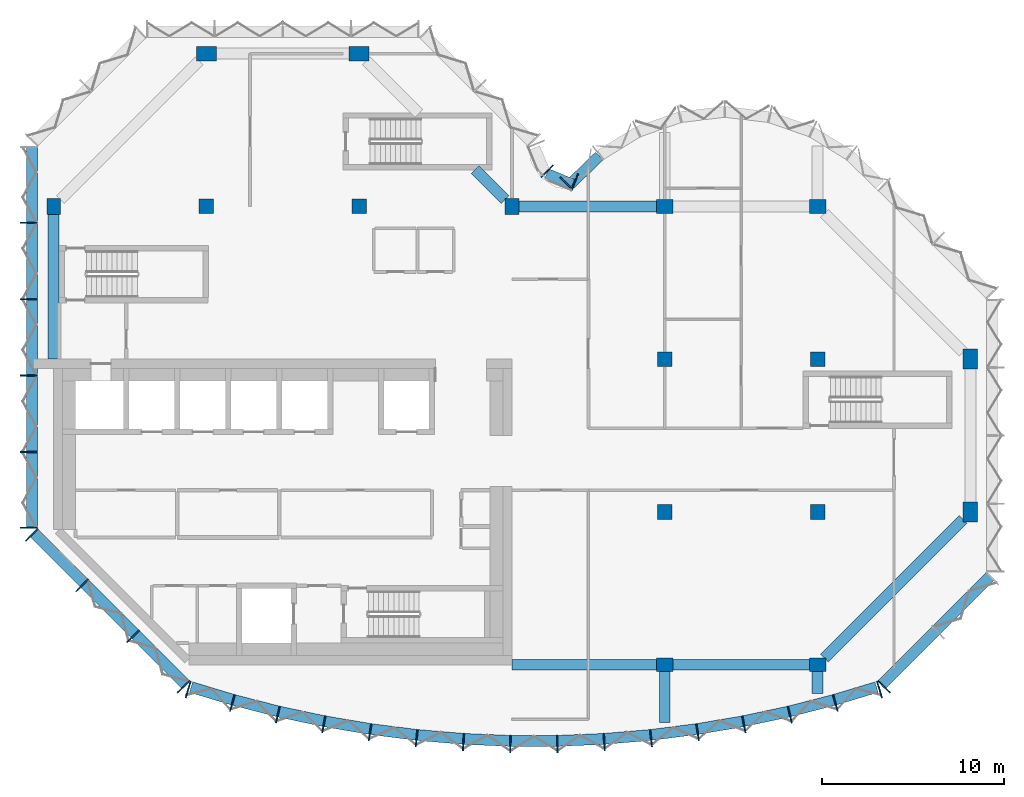
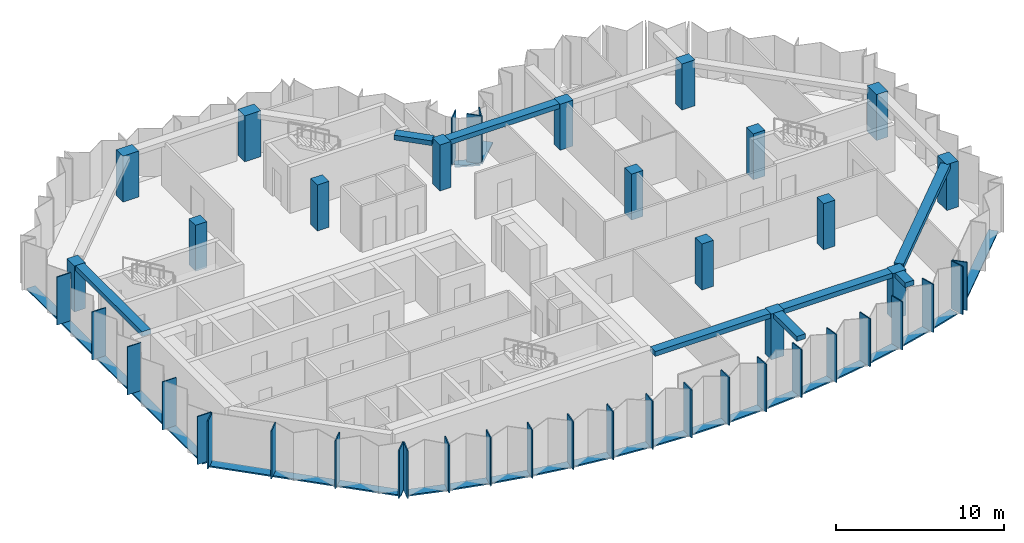
# One storey, part 1 of 9: 49 members, 16 columns, 8 beams, 6 elements without a shape of their own.
"""IFC4 building model written with IfcOpenShell, lengths in metres."""

from ifc_helpers import new_model, si_unit, direction, frame, origin, origin_2d, place, context, subcontext, project, spatial, rectangle, extrude, material, material_profile, profile_set, type_object, element, aggregate, save


model = new_model("IFC4")

# Units and contexts
model_context = context("Model", 3, precision=1e-05, world=origin(), true_north=direction((0.0, 1.0)))
body_context = subcontext(model_context, "Body", "Model", "MODEL_VIEW")
ifc_project = project(units=[si_unit("LENGTHUNIT", "METRE"), si_unit("AREAUNIT", "SQUARE_METRE"), si_unit("VOLUMEUNIT", "CUBIC_METRE"), si_unit("PLANEANGLEUNIT", "RADIAN"), si_unit("MASSUNIT", "GRAM", prefix="KILO")], contexts=[model_context])

# Site, building, storey
site_placement = place(None, origin())
site = spatial("IfcSite", under=ifc_project, at=site_placement, CompositionType="ELEMENT")
building_placement = place(site_placement, origin())
building = spatial("IfcBuilding", under=site, at=building_placement, Name="Brevane Broadcast Tower", CompositionType="ELEMENT")
storey_placement = place(building_placement, frame((0.0, 0.0, 244.5)))
storey = spatial("IfcBuildingStorey", under=building, at=storey_placement, Name="L62", CompositionType="ELEMENT", Elevation=244.5)

# Columns
ifc_material_1 = material(Name="Concrete C50/60", Category="concrete")
ifc_material_profile_1 = material_profile(ifc_material_1, rectangle(XDim=0.75, YDim=0.89990234375, at=origin_2d()), Name="RC 750x900")
ifc_profile_set_1 = profile_set([ifc_material_profile_1], Name="Concrete C50/60")
column_type_1 = type_object("IfcColumnType", Name="RC COLUMN EDGE 750x900 C50/60", PredefinedType="COLUMN", material=ifc_profile_set_1)
for number, where, z_axis, x_axis, name in (
    (1, (0.0, 25.199951171875, 0.0), (0.0, 0.0, 1.0), (1.0, 0.0, 0.0), "CE14 1/D"),
    (2, (25.199951171875, 25.199951171875, 0.0), (0.0, 0.0, 1.0), (1.0, 0.0, 0.0), "CE14 4/D"),
    (3, (33.60009765625, 0.0, 0.0), (0.0, 0.0, 1.0), (0.0, 1.0, 0.0), "CE14 5/A"),
    (4, (33.60009765625, 25.199951171875, 0.0), (0.0, 0.0, 1.0), (0.0, 1.0, 0.0), "CE14 5/D"),
    (5, (42.0, 0.0, 0.0), (0.0, 0.0, 1.0), (0.0, 1.0, 0.0), "CE14 6/A"),
    (6, (42.0, 25.199951171875, 0.0), (0.0, 0.0, 1.0), (0.0, 1.0, 0.0), "CE14 6/D"),
):
    element("IfcColumn", number, at=place(storey_placement, frame(where, z_axis=z_axis, x_axis=x_axis)), inside=storey, type_object=column_type_1, Name=name, PredefinedType="COLUMN", context=body_context, shape_type="SweptSolid", body=[
        extrude(rectangle(XDim=0.75, YDim=0.89990234375, at=origin_2d()), origin(), (0.0, 0.0, 1.0), 3.35009765625),
    ])
ifc_material_profile_2 = material_profile(ifc_material_1, rectangle(XDim=0.800048828125, YDim=0.800048828125, at=origin_2d()), Name="RC 800x800")
ifc_profile_set_2 = profile_set([ifc_material_profile_2], Name="Concrete C50/60")
column_type_2 = type_object("IfcColumnType", Name="RC COLUMN INTERIOR 800x800 C50/60", PredefinedType="COLUMN", material=ifc_profile_set_2)
for number, where, z_axis, x_axis, name in (
    (7, (8.39990234375, 25.199951171875, 0.0), (0.0, 0.0, 1.0), (1.0, 0.0, 0.0), "CI15 2/D"),
    (8, (16.800048828125, 25.199951171875, 0.0), (0.0, 0.0, 1.0), (1.0, 0.0, 0.0), "CI15 3/D"),
    (9, (33.60009765625, 8.39990234375, 0.0), (0.0, 0.0, 1.0), (1.0, 0.0, 0.0), "CI15 5/B"),
    (10, (33.60009765625, 16.800048828125, 0.0), (0.0, 0.0, 1.0), (1.0, 0.0, 0.0), "CI15 5/C"),
    (11, (42.0, 8.39990234375, 0.0), (0.0, 0.0, 1.0), (1.0, 0.0, 0.0), "CI15 6/B"),
    (12, (42.0, 16.800048828125, 0.0), (0.0, 0.0, 1.0), (1.0, 0.0, 0.0), "CI15 6/C"),
):
    element("IfcColumn", number, at=place(storey_placement, frame(where, z_axis=z_axis, x_axis=x_axis)), inside=storey, type_object=column_type_2, Name=name, PredefinedType="COLUMN", context=body_context, shape_type="SweptSolid", body=[
        extrude(rectangle(XDim=0.800048828125, YDim=0.800048828125, at=origin_2d()), origin(), (0.0, 0.0, 1.0), 3.35009765625),
    ])
ifc_material_profile_3 = material_profile(ifc_material_1, rectangle(XDim=0.800048828125, YDim=1.10009765625, at=origin_2d()), Name="RC 800x1100")
ifc_profile_set_3 = profile_set([ifc_material_profile_3], Name="Concrete C50/60")
column_type_3 = type_object("IfcColumnType", Name="RC COLUMN WING-END 800x1100 C50/60", PredefinedType="COLUMN", material=ifc_profile_set_3)
for number, where, z_axis, x_axis, name in (
    (13, (8.39990234375, 33.60009765625, 0.0), (0.0, 0.0, 1.0), (0.0, 1.0, 0.0), "CW16 2/E"),
    (14, (16.800048828125, 33.60009765625, 0.0), (0.0, 0.0, 1.0), (0.0, 1.0, 0.0), "CW16 3/E"),
    (15, (50.39990234375, 8.39990234375, 0.0), (0.0, 0.0, 1.0), (1.0, 0.0, 0.0), "CW16 7/B"),
    (16, (50.39990234375, 16.800048828125, 0.0), (0.0, 0.0, 1.0), (1.0, 0.0, 0.0), "CW16 7/C"),
):
    element("IfcColumn", number, at=place(storey_placement, frame(where, z_axis=z_axis, x_axis=x_axis)), inside=storey, type_object=column_type_3, Name=name, PredefinedType="COLUMN", context=body_context, shape_type="SweptSolid", body=[
        extrude(rectangle(XDim=0.800048828125, YDim=1.10009765625, at=origin_2d()), origin(), (0.0, 0.0, 1.0), 3.35009765625),
    ])

# Curtain wall, members
ifc_material_2 = material(Name="Aluminium 6063-T6 bronze anodised", Category="aluminium")
curtain_wall_type = type_object("IfcCurtainWallType", Name="CW-1 curtain wall", PredefinedType="NOTDEFINED", material=ifc_material_2)
curtain_wall_1_placement = place(storey_placement, origin())
curtain_wall_1 = element("IfcCurtainWall", 17, at=curtain_wall_1_placement, inside=storey, type_object=curtain_wall_type, Name="CW-1 typical tilted unit L62 south bow", PredefinedType="NOTDEFINED")
ifc_material_profile_4 = material_profile(ifc_material_2, rectangle(XDim=0.949951171875, YDim=0.070068359375, at=origin_2d()), Name="RECT 70x950")
ifc_profile_set_4 = profile_set([ifc_material_profile_4], Name="Aluminium 6063-T6 bronze anodised")
member_type_1 = type_object("IfcMemberType", Name="CW-1 mullion 70x950", PredefinedType="MULLION", material=ifc_profile_set_4)
member_1_placement = place(storey_placement, frame((7.396240234375, -1.36474609375, -0.14990234375), z_axis=(0.0, 0.0, 1.0), x_axis=(0.288968122518, 0.957338719664, 0.0)))
member_1 = element("IfcMember", 18, at=member_1_placement, type_object=member_type_1, Name="CW-1 mullion", PredefinedType="MULLION", context=body_context, shape_type="SweptSolid", body=[
    extrude(rectangle(XDim=0.949951171875, YDim=0.070068359375, at=origin_2d()), origin(), (0.0, 0.0, 1.0), 3.5),
])
member_2_placement = place(storey_placement, frame((9.824951171875, -2.097900390625, -0.14990234375), z_axis=(0.0, 0.0, 1.0), x_axis=(0.268915519935, 0.963163767559, 0.0)))
member_2 = element("IfcMember", 19, at=member_2_placement, type_object=member_type_1, Name="CW-1 mullion", PredefinedType="MULLION", context=body_context, shape_type="SweptSolid", body=[
    extrude(rectangle(XDim=0.949951171875, YDim=0.070068359375, at=origin_2d()), origin(), (0.0, 0.0, 1.0), 3.5),
])
member_3_placement = place(storey_placement, frame((12.325439453125, -2.739990234375, -0.14990234375), z_axis=(0.0, 0.0, 1.0), x_axis=(0.228467410001, 0.97355156133, 0.0)))
member_3 = element("IfcMember", 20, at=member_3_placement, type_object=member_type_1, Name="CW-1 mullion", PredefinedType="MULLION", context=body_context, shape_type="SweptSolid", body=[
    extrude(rectangle(XDim=0.949951171875, YDim=0.070068359375, at=origin_2d()), origin(), (0.0, 0.0, 1.0), 3.5),
])
member_4_placement = place(storey_placement, frame((14.8505859375, -3.277099609375, -0.14990234375), z_axis=(0.0, 0.0, 1.0), x_axis=(0.187620976959, 0.982241502384, 0.0)))
member_4 = element("IfcMember", 21, at=member_4_placement, type_object=member_type_1, Name="CW-1 mullion", PredefinedType="MULLION", context=body_context, shape_type="SweptSolid", body=[
    extrude(rectangle(XDim=0.949951171875, YDim=0.070068359375, at=origin_2d()), origin(), (0.0, 0.0, 1.0), 3.5),
])
member_5_placement = place(storey_placement, frame((17.395751953125, -3.70849609375, -0.14990234375), z_axis=(0.0, 0.0, 1.0), x_axis=(0.146447392256, 0.989218459847, 0.0)))
member_5 = element("IfcMember", 22, at=member_5_placement, type_object=member_type_1, Name="CW-1 mullion", PredefinedType="MULLION", context=body_context, shape_type="SweptSolid", body=[
    extrude(rectangle(XDim=0.949951171875, YDim=0.070068359375, at=origin_2d()), origin(), (0.0, 0.0, 1.0), 3.5),
])
member_6_placement = place(storey_placement, frame((19.95703125, -4.033203125, -0.14990234375), z_axis=(0.0, 0.0, 1.0), x_axis=(0.105018395305, 0.994470279419, 0.0)))
member_6 = element("IfcMember", 23, at=member_6_placement, type_object=member_type_1, Name="CW-1 mullion", PredefinedType="MULLION", context=body_context, shape_type="SweptSolid", body=[
    extrude(rectangle(XDim=0.949951171875, YDim=0.070068359375, at=origin_2d()), origin(), (0.0, 0.0, 1.0), 3.5),
])
member_7_placement = place(storey_placement, frame((22.529296875, -4.250732421875, -0.14990234375), z_axis=(0.0, 0.0, 1.0), x_axis=(0.063406169479, 0.99798780437, 0.0)))
member_7 = element("IfcMember", 24, at=member_7_placement, type_object=member_type_1, Name="CW-1 mullion", PredefinedType="MULLION", context=body_context, shape_type="SweptSolid", body=[
    extrude(rectangle(XDim=0.949951171875, YDim=0.070068359375, at=origin_2d()), origin(), (0.0, 0.0, 1.0), 3.5),
])
member_8_placement = place(storey_placement, frame((25.10888671875, -4.360595703125, -0.14990234375), z_axis=(0.0, 0.0, 1.0), x_axis=(0.021281828243, 0.999773516246, 0.0)))
member_8 = element("IfcMember", 25, at=member_8_placement, type_object=member_type_1, Name="CW-1 mullion", PredefinedType="MULLION", context=body_context, shape_type="SweptSolid", body=[
    extrude(rectangle(XDim=0.949951171875, YDim=0.070068359375, at=origin_2d()), origin(), (0.0, 0.0, 1.0), 3.5),
])
member_9_placement = place(storey_placement, frame((27.691162109375, -4.360595703125, -0.14990234375), z_axis=(0.0, 0.0, 1.0), x_axis=(-0.021281828243, 0.999773516246, 0.0)))
member_9 = element("IfcMember", 26, at=member_9_placement, type_object=member_type_1, Name="CW-1 mullion", PredefinedType="MULLION", context=body_context, shape_type="SweptSolid", body=[
    extrude(rectangle(XDim=0.949951171875, YDim=0.070068359375, at=origin_2d()), origin(), (0.0, 0.0, 1.0), 3.5),
])
member_10_placement = place(storey_placement, frame((30.2705078125, -4.250732421875, -0.14990234375), z_axis=(0.0, 0.0, 1.0), x_axis=(-0.063406169479, 0.99798780437, 0.0)))
member_10 = element("IfcMember", 27, at=member_10_placement, type_object=member_type_1, Name="CW-1 mullion", PredefinedType="MULLION", context=body_context, shape_type="SweptSolid", body=[
    extrude(rectangle(XDim=0.949951171875, YDim=0.070068359375, at=origin_2d()), origin(), (0.0, 0.0, 1.0), 3.5),
])
member_11_placement = place(storey_placement, frame((32.843017578125, -4.033203125, -0.14990234375), z_axis=(0.0, 0.0, 1.0), x_axis=(-0.105018395305, 0.994470279419, 0.0)))
member_11 = element("IfcMember", 28, at=member_11_placement, type_object=member_type_1, Name="CW-1 mullion", PredefinedType="MULLION", context=body_context, shape_type="SweptSolid", body=[
    extrude(rectangle(XDim=0.949951171875, YDim=0.070068359375, at=origin_2d()), origin(), (0.0, 0.0, 1.0), 3.5),
])
member_12_placement = place(storey_placement, frame((35.404296875, -3.70849609375, -0.14990234375), z_axis=(0.0, 0.0, 1.0), x_axis=(-0.146447392256, 0.989218459847, 0.0)))
member_12 = element("IfcMember", 29, at=member_12_placement, type_object=member_type_1, Name="CW-1 mullion", PredefinedType="MULLION", context=body_context, shape_type="SweptSolid", body=[
    extrude(rectangle(XDim=0.949951171875, YDim=0.070068359375, at=origin_2d()), origin(), (0.0, 0.0, 1.0), 3.5),
])
member_13_placement = place(storey_placement, frame((37.949462890625, -3.277099609375, -0.14990234375), z_axis=(0.0, 0.0, 1.0), x_axis=(-0.187620976959, 0.982241502384, 0.0)))
member_13 = element("IfcMember", 30, at=member_13_placement, type_object=member_type_1, Name="CW-1 mullion", PredefinedType="MULLION", context=body_context, shape_type="SweptSolid", body=[
    extrude(rectangle(XDim=0.949951171875, YDim=0.070068359375, at=origin_2d()), origin(), (0.0, 0.0, 1.0), 3.5),
])
member_14_placement = place(storey_placement, frame((40.474609375, -2.739990234375, -0.14990234375), z_axis=(0.0, 0.0, 1.0), x_axis=(-0.228467410001, 0.97355156133, 0.0)))
member_14 = element("IfcMember", 31, at=member_14_placement, type_object=member_type_1, Name="CW-1 mullion", PredefinedType="MULLION", context=body_context, shape_type="SweptSolid", body=[
    extrude(rectangle(XDim=0.949951171875, YDim=0.070068359375, at=origin_2d()), origin(), (0.0, 0.0, 1.0), 3.5),
])
member_15_placement = place(storey_placement, frame((42.97509765625, -2.097900390625, -0.14990234375), z_axis=(0.0, 0.0, 1.0), x_axis=(-0.268915519935, 0.963163767559, 0.0)))
member_15 = element("IfcMember", 32, at=member_15_placement, type_object=member_type_1, Name="CW-1 mullion", PredefinedType="MULLION", context=body_context, shape_type="SweptSolid", body=[
    extrude(rectangle(XDim=0.949951171875, YDim=0.070068359375, at=origin_2d()), origin(), (0.0, 0.0, 1.0), 3.5),
])
member_16_placement = place(storey_placement, frame((45.40380859375, -1.36474609375, -0.14990234375), z_axis=(0.0, 0.0, 1.0), x_axis=(-0.288968122518, 0.957338719664, 0.0)))
member_16 = element("IfcMember", 33, at=member_16_placement, type_object=member_type_1, Name="CW-1 mullion", PredefinedType="MULLION", context=body_context, shape_type="SweptSolid", body=[
    extrude(rectangle(XDim=0.949951171875, YDim=0.070068359375, at=origin_2d()), origin(), (0.0, 0.0, 1.0), 3.5),
])

# Curtain wall, member
curtain_wall_2_placement = place(storey_placement, origin())
curtain_wall_2 = element("IfcCurtainWall", 34, at=curtain_wall_2_placement, inside=storey, type_object=curtain_wall_type, Name="CW-1 typical tilted unit L62 south-east chamfer", PredefinedType="NOTDEFINED")
member_17_placement = place(storey_placement, frame((45.66064453125, -1.211181640625, -0.14990234375), z_axis=(0.0, 0.0, 1.0), x_axis=(-0.707106781187, 0.707106781187, 0.0)))
member_17 = element("IfcMember", 35, at=member_17_placement, type_object=member_type_1, Name="CW-1 mullion", PredefinedType="MULLION", context=body_context, shape_type="SweptSolid", body=[
    extrude(rectangle(XDim=0.949951171875, YDim=0.070068359375, at=origin_2d()), origin(), (0.0, 0.0, 1.0), 3.5),
])

curtain_wall_3_placement = place(storey_placement, origin())
curtain_wall_3 = element("IfcCurtainWall", 36, at=curtain_wall_3_placement, inside=storey, type_object=curtain_wall_type, Name="CW-1 typical tilted unit L62 east bow", PredefinedType="NOTDEFINED")
member_18_placement = place(storey_placement, frame((28.194091796875, 26.465087890625, -0.14990234375), z_axis=(0.0, 0.0, 1.0), x_axis=(0.696812089895, -0.717253728729, 0.0)))
member_18 = element("IfcMember", 37, at=member_18_placement, type_object=member_type_1, Name="CW-1 mullion", PredefinedType="MULLION", context=body_context, shape_type="SweptSolid", body=[
    extrude(rectangle(XDim=0.949951171875, YDim=0.070068359375, at=origin_2d()), origin(), (0.0, 0.0, 1.0), 3.5),
])

# Curtain wall, members
curtain_wall_4_placement = place(storey_placement, origin())
curtain_wall_4 = element("IfcCurtainWall", 38, at=curtain_wall_4_placement, inside=storey, type_object=curtain_wall_type, Name="CW-1 typical tilted unit L62 inner corner", PredefinedType="NOTDEFINED")
member_19_placement = place(storey_placement, frame((28.6494140625, 26.55224609375, -0.14990234375), z_axis=(0.0, 0.0, 1.0), x_axis=(-0.382683432365, -0.923879532511, 0.0)))
member_19 = element("IfcMember", 39, at=member_19_placement, type_object=member_type_1, Name="CW-1 mullion", PredefinedType="MULLION", context=body_context, shape_type="SweptSolid", body=[
    extrude(rectangle(XDim=0.949951171875, YDim=0.070068359375, at=origin_2d()), origin(), (0.0, 0.0, 1.0), 3.5),
])
member_20_placement = place(storey_placement, frame((27.138916015625, 27.138916015625, -0.14990234375), z_axis=(0.0, 0.0, 1.0), x_axis=(-0.707106781187, -0.707106781187, 0.0)))
member_20 = element("IfcMember", 40, at=member_20_placement, type_object=member_type_1, Name="CW-1 mullion", PredefinedType="MULLION", context=body_context, shape_type="SweptSolid", body=[
    extrude(rectangle(XDim=0.949951171875, YDim=0.070068359375, at=origin_2d()), origin(), (0.0, 0.0, 1.0), 3.5),
])

curtain_wall_5_placement = place(storey_placement, origin())
curtain_wall_5 = element("IfcCurtainWall", 41, at=curtain_wall_5_placement, inside=storey, type_object=curtain_wall_type, Name="CW-1 typical tilted unit L62 west face", PredefinedType="NOTDEFINED")
member_21_placement = place(storey_placement, frame((-1.375, 24.300048828125, -0.14990234375), z_axis=(0.0, 0.0, 1.0), x_axis=(1.0, 0.0, 0.0)))
member_21 = element("IfcMember", 42, at=member_21_placement, type_object=member_type_1, Name="CW-1 mullion", PredefinedType="MULLION", context=body_context, shape_type="SweptSolid", body=[
    extrude(rectangle(XDim=0.949951171875, YDim=0.070068359375, at=origin_2d()), origin(), (0.0, 0.0, 1.0), 3.5),
])
member_22_placement = place(storey_placement, frame((-1.375, 20.10009765625, -0.14990234375), z_axis=(0.0, 0.0, 1.0), x_axis=(1.0, 0.0, 0.0)))
member_22 = element("IfcMember", 43, at=member_22_placement, type_object=member_type_1, Name="CW-1 mullion", PredefinedType="MULLION", context=body_context, shape_type="SweptSolid", body=[
    extrude(rectangle(XDim=0.949951171875, YDim=0.070068359375, at=origin_2d()), origin(), (0.0, 0.0, 1.0), 3.5),
])
member_23_placement = place(storey_placement, frame((-1.375, 15.89990234375, -0.14990234375), z_axis=(0.0, 0.0, 1.0), x_axis=(1.0, 0.0, 0.0)))
member_23 = element("IfcMember", 44, at=member_23_placement, type_object=member_type_1, Name="CW-1 mullion", PredefinedType="MULLION", context=body_context, shape_type="SweptSolid", body=[
    extrude(rectangle(XDim=0.949951171875, YDim=0.070068359375, at=origin_2d()), origin(), (0.0, 0.0, 1.0), 3.5),
])
member_24_placement = place(storey_placement, frame((-1.375, 11.699951171875, -0.14990234375), z_axis=(0.0, 0.0, 1.0), x_axis=(1.0, 0.0, 0.0)))
member_24 = element("IfcMember", 45, at=member_24_placement, type_object=member_type_1, Name="CW-1 mullion", PredefinedType="MULLION", context=body_context, shape_type="SweptSolid", body=[
    extrude(rectangle(XDim=0.949951171875, YDim=0.070068359375, at=origin_2d()), origin(), (0.0, 0.0, 1.0), 3.5),
])
member_25_placement = place(storey_placement, frame((-1.375, 7.534912109375, -0.14990234375), z_axis=(0.0, 0.0, 1.0), x_axis=(1.0, 0.0, 0.0)))
member_25 = element("IfcMember", 46, at=member_25_placement, type_object=member_type_1, Name="CW-1 mullion", PredefinedType="MULLION", context=body_context, shape_type="SweptSolid", body=[
    extrude(rectangle(XDim=0.949951171875, YDim=0.070068359375, at=origin_2d()), origin(), (0.0, 0.0, 1.0), 3.5),
])

curtain_wall_6_placement = place(storey_placement, origin())
curtain_wall_6 = element("IfcCurtainWall", 47, at=curtain_wall_6_placement, inside=storey, type_object=curtain_wall_type, Name="CW-1 typical tilted unit L62 south-west chamfer", PredefinedType="NOTDEFINED")
member_26_placement = place(storey_placement, frame((-1.211181640625, 7.139404296875, -0.14990234375), z_axis=(0.0, 0.0, 1.0), x_axis=(0.707106781187, 0.707106781187, 0.0)))
member_26 = element("IfcMember", 48, at=member_26_placement, type_object=member_type_1, Name="CW-1 mullion", PredefinedType="MULLION", context=body_context, shape_type="SweptSolid", body=[
    extrude(rectangle(XDim=0.949951171875, YDim=0.070068359375, at=origin_2d()), origin(), (0.0, 0.0, 1.0), 3.5),
])
member_27_placement = place(storey_placement, frame((1.564208984375, 4.364013671875, -0.14990234375), z_axis=(0.0, 0.0, 1.0), x_axis=(0.707106781187, 0.707106781187, 0.0)))
member_27 = element("IfcMember", 49, at=member_27_placement, type_object=member_type_1, Name="CW-1 mullion", PredefinedType="MULLION", context=body_context, shape_type="SweptSolid", body=[
    extrude(rectangle(XDim=0.949951171875, YDim=0.070068359375, at=origin_2d()), origin(), (0.0, 0.0, 1.0), 3.5),
])
member_28_placement = place(storey_placement, frame((4.364013671875, 1.564208984375, -0.14990234375), z_axis=(0.0, 0.0, 1.0), x_axis=(0.707106781187, 0.707106781187, 0.0)))
member_28 = element("IfcMember", 50, at=member_28_placement, type_object=member_type_1, Name="CW-1 mullion", PredefinedType="MULLION", context=body_context, shape_type="SweptSolid", body=[
    extrude(rectangle(XDim=0.949951171875, YDim=0.070068359375, at=origin_2d()), origin(), (0.0, 0.0, 1.0), 3.5),
])
member_29_placement = place(storey_placement, frame((7.139404296875, -1.211181640625, -0.14990234375), z_axis=(0.0, 0.0, 1.0), x_axis=(0.707106781187, 0.707106781187, 0.0)))
member_29 = element("IfcMember", 51, at=member_29_placement, type_object=member_type_1, Name="CW-1 mullion", PredefinedType="MULLION", context=body_context, shape_type="SweptSolid", body=[
    extrude(rectangle(XDim=0.949951171875, YDim=0.070068359375, at=origin_2d()), origin(), (0.0, 0.0, 1.0), 3.5),
])

# Member
ifc_material_profile_5 = material_profile(ifc_material_2, rectangle(XDim=0.60009765625, YDim=0.10009765625, at=origin_2d()), Name="RECT 100x600")
ifc_profile_set_5 = profile_set([ifc_material_profile_5], Name="Aluminium 6063-T6 bronze anodised")
member_type_2 = type_object("IfcMemberType", Name="CW-1 transom 100x600", PredefinedType="USERDEFINED", material=ifc_profile_set_5)
member_30_placement = place(storey_placement, frame((7.553955078125, -1.229736328125, -0.199951171875), z_axis=(0.957362578524, -0.288889067362, 0.0), x_axis=(0.288889067362, 0.957362578524, 0.0)))
member_30 = element("IfcMember", 52, at=member_30_placement, type_object=member_type_2, Name="CW-1 transom", ObjectType="TRANSOM", PredefinedType="USERDEFINED", context=body_context, shape_type="SweptSolid", body=[
    extrude(rectangle(XDim=0.60009765625, YDim=0.10009765625, at=origin_2d()), origin(), (0.0, 0.0, 1.0), 2.411865234375),
])

member_31_placement = place(storey_placement, frame((9.8759765625, -1.930419921875, -0.199951171875), z_axis=(0.968569727699, -0.248742201052, 0.0), x_axis=(0.248742201052, 0.968569727699, 0.0)))
member_31 = element("IfcMember", 53, at=member_31_placement, type_object=member_type_2, Name="CW-1 transom", ObjectType="TRANSOM", PredefinedType="USERDEFINED", context=body_context, shape_type="SweptSolid", body=[
    extrude(rectangle(XDim=0.60009765625, YDim=0.10009765625, at=origin_2d()), origin(), (0.0, 0.0, 1.0), 2.561767578125),
])

member_32_placement = place(storey_placement, frame((12.370361328125, -2.57080078125, -0.199951171875), z_axis=(0.978117897278, -0.208051385536, 0.0), x_axis=(0.208051385536, 0.978117897278, 0.0)))
member_32 = element("IfcMember", 54, at=member_32_placement, type_object=member_type_2, Name="CW-1 transom", ObjectType="TRANSOM", PredefinedType="USERDEFINED", context=body_context, shape_type="SweptSolid", body=[
    extrude(rectangle(XDim=0.60009765625, YDim=0.10009765625, at=origin_2d()), origin(), (0.0, 0.0, 1.0), 2.561767578125),
])

member_33_placement = place(storey_placement, frame((14.88916015625, -3.1064453125, -0.199951171875), z_axis=(0.985947338221, -0.167056416383, 0.0), x_axis=(0.167056416383, 0.985947338221, 0.0)))
member_33 = element("IfcMember", 55, at=member_33_placement, type_object=member_type_2, Name="CW-1 transom", ObjectType="TRANSOM", PredefinedType="USERDEFINED", context=body_context, shape_type="SweptSolid", body=[
    extrude(rectangle(XDim=0.60009765625, YDim=0.10009765625, at=origin_2d()), origin(), (0.0, 0.0, 1.0), 2.561767578125),
])

member_34_placement = place(storey_placement, frame((17.428466796875, -3.536376953125, -0.199951171875), z_axis=(0.99206678005, -0.12571198798, 0.0), x_axis=(0.12571198798, 0.99206678005, 0.0)))
member_34 = element("IfcMember", 56, at=member_34_placement, type_object=member_type_2, Name="CW-1 transom", ObjectType="TRANSOM", PredefinedType="USERDEFINED", context=body_context, shape_type="SweptSolid", body=[
    extrude(rectangle(XDim=0.60009765625, YDim=0.10009765625, at=origin_2d()), origin(), (0.0, 0.0, 1.0), 2.5615234375),
])

member_35_placement = place(storey_placement, frame((19.983154296875, -3.85986328125, -0.199951171875), z_axis=(0.99644513768, -0.084244214012, 0.0), x_axis=(0.084244214012, 0.99644513768, 0.0)))
member_35 = element("IfcMember", 57, at=member_35_placement, type_object=member_type_2, Name="CW-1 transom", ObjectType="TRANSOM", PredefinedType="USERDEFINED", context=body_context, shape_type="SweptSolid", body=[
    extrude(rectangle(XDim=0.60009765625, YDim=0.10009765625, at=origin_2d()), origin(), (0.0, 0.0, 1.0), 2.561767578125),
])

member_36_placement = place(storey_placement, frame((22.54931640625, -4.076416015625, -0.199951171875), z_axis=(0.999092306129, -0.042597697524, 0.0), x_axis=(0.042597697524, 0.999092306129, 0.0)))
member_36 = element("IfcMember", 58, at=member_36_placement, type_object=member_type_2, Name="CW-1 transom", ObjectType="TRANSOM", PredefinedType="USERDEFINED", context=body_context, shape_type="SweptSolid", body=[
    extrude(rectangle(XDim=0.60009765625, YDim=0.10009765625, at=origin_2d()), origin(), (0.0, 0.0, 1.0), 2.56201171875),
])

member_37_placement = place(storey_placement, frame((25.122314453125, -4.185546875, -0.199951171875), z_axis=(1.0, 0.0, 0.0), x_axis=(0.0, 1.0, 0.0)))
member_37 = element("IfcMember", 59, at=member_37_placement, type_object=member_type_2, Name="CW-1 transom", ObjectType="TRANSOM", PredefinedType="USERDEFINED", context=body_context, shape_type="SweptSolid", body=[
    extrude(rectangle(XDim=0.60009765625, YDim=0.10009765625, at=origin_2d()), origin(), (0.0, 0.0, 1.0), 2.56201171875),
])

member_38_placement = place(storey_placement, frame((27.691162109375, -4.185546875, -0.199951171875), z_axis=(0.999092133182, 0.042601753652, 0.0), x_axis=(-0.042601753652, 0.999092133182, 0.0)))
member_38 = element("IfcMember", 60, at=member_38_placement, type_object=member_type_2, Name="CW-1 transom", ObjectType="TRANSOM", PredefinedType="USERDEFINED", context=body_context, shape_type="SweptSolid", body=[
    extrude(rectangle(XDim=0.60009765625, YDim=0.10009765625, at=origin_2d()), origin(), (0.0, 0.0, 1.0), 2.561767578125),
])

member_39_placement = place(storey_placement, frame((30.26416015625, -4.07568359375, -0.199951171875), z_axis=(0.99644513768, 0.084244214012, 0.0), x_axis=(-0.084244214012, 0.99644513768, 0.0)))
member_39 = element("IfcMember", 61, at=member_39_placement, type_object=member_type_2, Name="CW-1 transom", ObjectType="TRANSOM", PredefinedType="USERDEFINED", context=body_context, shape_type="SweptSolid", body=[
    extrude(rectangle(XDim=0.60009765625, YDim=0.10009765625, at=origin_2d()), origin(), (0.0, 0.0, 1.0), 2.561767578125),
])

member_40_placement = place(storey_placement, frame((32.830322265625, -3.8583984375, -0.199951171875), z_axis=(0.99206678005, 0.12571198798, 0.0), x_axis=(-0.12571198798, 0.99206678005, 0.0)))
member_40 = element("IfcMember", 62, at=member_40_placement, type_object=member_type_2, Name="CW-1 transom", ObjectType="TRANSOM", PredefinedType="USERDEFINED", context=body_context, shape_type="SweptSolid", body=[
    extrude(rectangle(XDim=0.60009765625, YDim=0.10009765625, at=origin_2d()), origin(), (0.0, 0.0, 1.0), 2.5615234375),
])

member_41_placement = place(storey_placement, frame((35.385009765625, -3.534423828125, -0.199951171875), z_axis=(0.9859446783, 0.167072114167, 0.0), x_axis=(-0.167072114167, 0.9859446783, 0.0)))
member_41 = element("IfcMember", 63, at=member_41_placement, type_object=member_type_2, Name="CW-1 transom", ObjectType="TRANSOM", PredefinedType="USERDEFINED", context=body_context, shape_type="SweptSolid", body=[
    extrude(rectangle(XDim=0.60009765625, YDim=0.10009765625, at=origin_2d()), origin(), (0.0, 0.0, 1.0), 2.5615234375),
])

member_42_placement = place(storey_placement, frame((37.924072265625, -3.103759765625, -0.199951171875), z_axis=(0.978117897278, 0.208051385536, 0.0), x_axis=(-0.208051385536, 0.978117897278, 0.0)))
member_42 = element("IfcMember", 64, at=member_42_placement, type_object=member_type_2, Name="CW-1 transom", ObjectType="TRANSOM", PredefinedType="USERDEFINED", context=body_context, shape_type="SweptSolid", body=[
    extrude(rectangle(XDim=0.60009765625, YDim=0.10009765625, at=origin_2d()), origin(), (0.0, 0.0, 1.0), 2.561767578125),
])

member_43_placement = place(storey_placement, frame((40.44287109375, -2.567626953125, -0.199951171875), z_axis=(0.968569727699, 0.248742201052, 0.0), x_axis=(-0.248742201052, 0.968569727699, 0.0)))
member_43 = element("IfcMember", 65, at=member_43_placement, type_object=member_type_2, Name="CW-1 transom", ObjectType="TRANSOM", PredefinedType="USERDEFINED", context=body_context, shape_type="SweptSolid", body=[
    extrude(rectangle(XDim=0.60009765625, YDim=0.10009765625, at=origin_2d()), origin(), (0.0, 0.0, 1.0), 2.561767578125),
])

member_44_placement = place(storey_placement, frame((42.93701171875, -1.926513671875, -0.199951171875), z_axis=(0.957362578524, 0.288889067362, 0.0), x_axis=(-0.288889067362, 0.957362578524, 0.0)))
member_44 = element("IfcMember", 66, at=member_44_placement, type_object=member_type_2, Name="CW-1 transom", ObjectType="TRANSOM", PredefinedType="USERDEFINED", context=body_context, shape_type="SweptSolid", body=[
    extrude(rectangle(XDim=0.60009765625, YDim=0.10009765625, at=origin_2d()), origin(), (0.0, 0.0, 1.0), 2.411865234375),
])

aggregate(curtain_wall_1, [member_1, member_2, member_3, member_4, member_5, member_6, member_7, member_8, member_9, member_10, member_11, member_12, member_13, member_14, member_15, member_16, member_30, member_31, member_32, member_33, member_34, member_35, member_36, member_37, member_38, member_39, member_40, member_41, member_42, member_43, member_44])

member_45_placement = place(storey_placement, frame((45.51220703125, -1.112060546875, -0.199951171875), z_axis=(0.707106781187, 0.707106781187, 0.0), x_axis=(-0.707106781187, 0.707106781187, 0.0)))
member_45 = element("IfcMember", 67, at=member_45_placement, type_object=member_type_2, Name="CW-1 transom", ObjectType="TRANSOM", PredefinedType="USERDEFINED", context=body_context, shape_type="SweptSolid", body=[
    extrude(rectangle(XDim=0.60009765625, YDim=0.10009765625, at=origin_2d()), origin(), (0.0, 0.0, 1.0), 8.4853515625),
])

aggregate(curtain_wall_2, [member_17, member_45])

member_46_placement = place(storey_placement, frame((29.99951171875, 27.974365234375, -0.199951171875), z_axis=(-0.71724215871, -0.696823999134, 0.0), x_axis=(0.696823999134, -0.71724215871, 0.0)))
member_46 = element("IfcMember", 68, at=member_46_placement, type_object=member_type_2, Name="CW-1 transom", ObjectType="TRANSOM", PredefinedType="USERDEFINED", context=body_context, shape_type="SweptSolid", body=[
    extrude(rectangle(XDim=0.60009765625, YDim=0.10009765625, at=origin_2d()), origin(), (0.0, 0.0, 1.0), 2.247802734375),
])

aggregate(curtain_wall_3, [member_18, member_46])

member_47_placement = place(storey_placement, frame((28.528076171875, 26.40673828125, -0.199951171875), z_axis=(-0.923883243627, 0.382674472816, 0.0), x_axis=(-0.382674472816, -0.923883243627, 0.0)))
member_47 = element("IfcMember", 69, at=member_47_placement, type_object=member_type_2, Name="CW-1 transom", ObjectType="TRANSOM", PredefinedType="USERDEFINED", context=body_context, shape_type="SweptSolid", body=[
    extrude(rectangle(XDim=0.60009765625, YDim=0.10009765625, at=origin_2d()), origin(), (0.0, 0.0, 1.0), 1.536865234375),
])

aggregate(curtain_wall_4, [member_19, member_20, member_47])

member_48_placement = place(storey_placement, frame((-1.199951171875, 28.5, -0.199951171875), z_axis=(0.0, -1.0, 0.0), x_axis=(1.0, 0.0, 0.0)))
member_48 = element("IfcMember", 70, at=member_48_placement, type_object=member_type_2, Name="CW-1 transom", ObjectType="TRANSOM", PredefinedType="USERDEFINED", context=body_context, shape_type="SweptSolid", body=[
    extrude(rectangle(XDim=0.60009765625, YDim=0.10009765625, at=origin_2d()), origin(), (0.0, 0.0, 1.0), 21.0),
])

aggregate(curtain_wall_5, [member_21, member_22, member_23, member_24, member_25, member_48])

member_49_placement = place(storey_placement, frame((-1.112060546875, 7.287841796875, -0.199951171875), z_axis=(0.707106781187, -0.707106781187, 0.0), x_axis=(0.707106781187, 0.707106781187, 0.0)))
member_49 = element("IfcMember", 71, at=member_49_placement, type_object=member_type_2, Name="CW-1 transom", ObjectType="TRANSOM", PredefinedType="USERDEFINED", context=body_context, shape_type="SweptSolid", body=[
    extrude(rectangle(XDim=0.60009765625, YDim=0.10009765625, at=origin_2d()), origin(), (0.0, 0.0, 1.0), 11.879150390625),
])

aggregate(curtain_wall_6, [member_26, member_27, member_28, member_29, member_49])

# Beams
ifc_material_3 = material(Name="Concrete C40/50", Category="concrete")
ifc_material_profile_6 = material_profile(ifc_material_3, rectangle(XDim=0.60009765625, YDim=0.35009765625, at=origin_2d()), Name="RC 600x350")
ifc_profile_set_6 = profile_set([ifc_material_profile_6], Name="Concrete C40/50")
beam_type_1 = type_object("IfcBeamType", Name="RC BRACKET BEAM 600x350 C40/50", PredefinedType="BEAM", material=ifc_profile_set_6)
beam_1_placement = place(storey_placement, frame((33.60009765625, -0.375, 3.175048828125), z_axis=(0.0, -1.0, 0.0), x_axis=(1.0, 0.0, 0.0)))
element("IfcBeam", 72, at=beam_1_placement, inside=storey, type_object=beam_type_1, Name="EB2 L62-1", PredefinedType="BEAM", context=body_context, shape_type="SweptSolid", body=[
    extrude(rectangle(XDim=0.60009765625, YDim=0.35009765625, at=origin_2d()), origin(), (0.0, 0.0, 1.0), 2.7958984375),
])
beam_2_placement = place(storey_placement, frame((42.0, -0.375, 3.175048828125), z_axis=(0.0, -1.0, 0.0), x_axis=(1.0, 0.0, 0.0)))
element("IfcBeam", 73, at=beam_2_placement, inside=storey, type_object=beam_type_1, Name="EB2 L62-3", PredefinedType="BEAM", context=body_context, shape_type="SweptSolid", body=[
    extrude(rectangle(XDim=0.60009765625, YDim=0.35009765625, at=origin_2d()), origin(), (0.0, 0.0, 1.0), 1.19384765625),
])
ifc_material_profile_7 = material_profile(ifc_material_3, rectangle(XDim=0.60009765625, YDim=0.35009765625, at=origin_2d()), Name="RC 600x350")
ifc_profile_set_7 = profile_set([ifc_material_profile_7], Name="Concrete C40/50")
beam_type_2 = type_object("IfcBeamType", Name="RC SPANDREL BEAM 600x350 C40/50", PredefinedType="SPANDREL", material=ifc_profile_set_7)
beam_3_placement = place(storey_placement, frame((25.199951171875, 0.0, 3.175048828125), z_axis=(1.0, 0.0, 0.0), x_axis=(0.0, 1.0, 0.0)))
element("IfcBeam", 74, at=beam_3_placement, inside=storey, type_object=beam_type_2, Name="EB1 L62-1", PredefinedType="SPANDREL", context=body_context, shape_type="SweptSolid", body=[
    extrude(rectangle(XDim=0.60009765625, YDim=0.35009765625, at=origin_2d()), origin(), (0.0, 0.0, 1.0), 7.949951171875),
])
beam_4_placement = place(storey_placement, frame((34.050048828125, 0.0, 3.175048828125), z_axis=(1.0, 0.0, 0.0), x_axis=(0.0, 1.0, 0.0)))
element("IfcBeam", 75, at=beam_4_placement, inside=storey, type_object=beam_type_2, Name="EB1 L62-2", PredefinedType="SPANDREL", context=body_context, shape_type="SweptSolid", body=[
    extrude(rectangle(XDim=0.60009765625, YDim=0.35009765625, at=origin_2d()), origin(), (0.0, 0.0, 1.0), 7.5),
])
beam_5_placement = place(storey_placement, frame((42.375, 0.375, 3.175048828125), z_axis=(0.707106781187, 0.707106781187, 0.0), x_axis=(-0.707106781187, 0.707106781187, 0.0)))
element("IfcBeam", 76, at=beam_5_placement, inside=storey, type_object=beam_type_2, Name="EB1 L62-3", PredefinedType="SPANDREL", context=body_context, shape_type="SweptSolid", body=[
    extrude(rectangle(XDim=0.60009765625, YDim=0.35009765625, at=origin_2d()), origin(), (0.0, 0.0, 1.0), 10.783447265625),
])
beam_6_placement = place(storey_placement, frame((33.14990234375, 25.199951171875, 3.175048828125), z_axis=(-1.0, 0.0, 0.0), x_axis=(0.0, -1.0, 0.0)))
element("IfcBeam", 77, at=beam_6_placement, inside=storey, type_object=beam_type_2, Name="EB1 L62-7", PredefinedType="SPANDREL", context=body_context, shape_type="SweptSolid", body=[
    extrude(rectangle(XDim=0.60009765625, YDim=0.35009765625, at=origin_2d()), origin(), (0.0, 0.0, 1.0), 7.574951171875),
])
beam_7_placement = place(storey_placement, frame((24.824951171875, 25.574951171875, 3.175048828125), z_axis=(-0.707106781187, 0.707106781187, 0.0), x_axis=(-0.707106781187, -0.707106781187, 0.0)))
element("IfcBeam", 78, at=beam_7_placement, inside=storey, type_object=beam_type_2, Name="EB1 L62-8", PredefinedType="SPANDREL", context=body_context, shape_type="SweptSolid", body=[
    extrude(rectangle(XDim=0.60009765625, YDim=0.35009765625, at=origin_2d()), origin(), (0.0, 0.0, 1.0), 2.340576171875),
])
beam_8_placement = place(storey_placement, frame((0.0, 24.75, 3.175048828125), z_axis=(0.0, -1.0, 0.0), x_axis=(1.0, 0.0, 0.0)))
element("IfcBeam", 79, at=beam_8_placement, inside=storey, type_object=beam_type_2, Name="EB1 L62-11", PredefinedType="SPANDREL", context=body_context, shape_type="SweptSolid", body=[
    extrude(rectangle(XDim=0.60009765625, YDim=0.35009765625, at=origin_2d()), origin(), (0.0, 0.0, 1.0), 7.949951171875),
])

save(model, "model.ifc")
